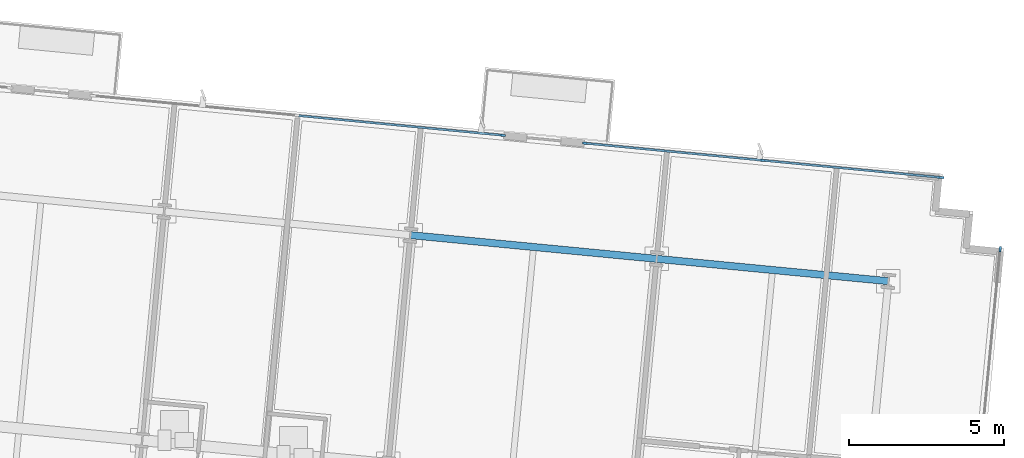
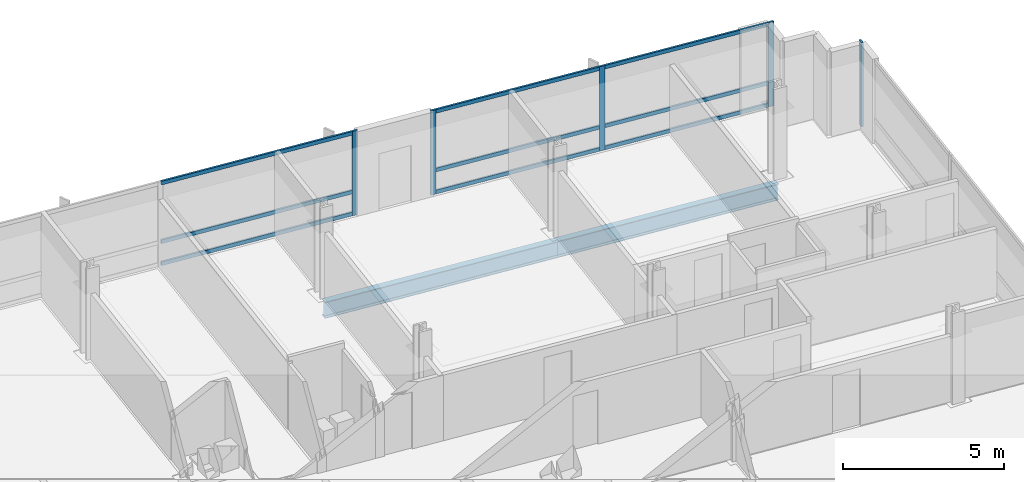
# One storey, part 8 of 17: 14 members, 2 beams, 3 elements without a shape of their own.
"""IFC4 building model written with IfcOpenShell, lengths in metres."""

from ifc_helpers import new_model, si_unit, direction, frame, origin, origin_2d, place, context, subcontext, project, spatial, rectangle, i_section, extrude, material, material_profile, profile_set, type_object, element, aggregate, save


model = new_model("IFC4")

# Units and contexts
model_context = context("Model", 3, precision=1e-05, world=origin(), true_north=direction((0.0, 1.0)))
body_context = subcontext(model_context, "Body", "Model", "MODEL_VIEW")
ifc_project = project(units=[si_unit("LENGTHUNIT", "METRE"), si_unit("AREAUNIT", "SQUARE_METRE"), si_unit("VOLUMEUNIT", "CUBIC_METRE"), si_unit("PLANEANGLEUNIT", "RADIAN"), si_unit("MASSUNIT", "GRAM", prefix="KILO")], contexts=[model_context])

# Site, building, storey
site_placement = place(None, origin())
site = spatial("IfcSite", under=ifc_project, at=site_placement, CompositionType="ELEMENT")
building_placement = place(site_placement, origin())
building = spatial("IfcBuilding", under=site, at=building_placement, Name="Solmavex Isthmus Hotel", CompositionType="ELEMENT")
storey_placement = place(building_placement, frame((0.0, 0.0, 170.39990234375)))
storey = spatial("IfcBuildingStorey", under=building, at=storey_placement, Name="L46", CompositionType="ELEMENT", Elevation=170.39990234375)

# Beams
ifc_material_1 = material(Name="Steel ASTM A992 Grade 50", Category="steel")
ifc_material_profile_1 = material_profile(ifc_material_1, i_section(OverallWidth=0.230224609375, OverallDepth=0.617431640625, WebThickness=0.01318359375, FlangeThickness=0.022216796875, FilletRadius=0.01513671875, at=origin_2d()), Name="W24X94")
ifc_profile_set_1 = profile_set([ifc_material_profile_1], Name="Steel ASTM A992 Grade 50")
beam_type = type_object("IfcBeamType", Name="BM-SP-W24X94", PredefinedType="SPANDREL", material=ifc_profile_set_1)
beam_1_placement = place(storey_placement, frame((9.1953125, 17.966552734375, -0.568603515625), z_axis=(0.995397440011, -0.095832856685, 0.0), x_axis=(0.095832856685, 0.995397440011, 0.0)))
element("IfcBeam", 1, at=beam_1_placement, inside=storey, type_object=beam_type, Name="Floor Girder L46-UG19", PredefinedType="SPANDREL", context=body_context, shape_type="SweptSolid", body=[
    extrude(i_section(OverallWidth=0.230224609375, OverallDepth=0.617431640625, WebThickness=0.01318359375, FlangeThickness=0.022216796875, FilletRadius=0.01513671875, at=origin_2d()), origin(), (0.0, 0.0, 1.0), 7.9560546875),
])
beam_2_placement = place(storey_placement, frame((17.11474609375, 17.2041015625, -0.568603515625), z_axis=(0.995395279593, -0.095855293875, 0.0), x_axis=(0.095855293875, 0.995395279593, 0.0)))
element("IfcBeam", 2, at=beam_2_placement, inside=storey, type_object=beam_type, Name="Floor Girder L46-UG20", PredefinedType="SPANDREL", context=body_context, shape_type="SweptSolid", body=[
    extrude(i_section(OverallWidth=0.230224609375, OverallDepth=0.617431640625, WebThickness=0.01318359375, FlangeThickness=0.022216796875, FilletRadius=0.01513671875, at=origin_2d()), origin(), (0.0, 0.0, 1.0), 7.488037109375),
])

# Curtain wall, member
ifc_material_2 = material(Name="Aluminium alloy 6063-T6", Category="aluminium")
curtain_wall_type = type_object("IfcCurtainWallType", Name="CW-SYS-03", PredefinedType="NOTDEFINED", material=ifc_material_2)
curtain_wall_1_placement = place(storey_placement, origin())
curtain_wall_1 = element("IfcCurtainWall", 3, at=curtain_wall_1_placement, inside=storey, type_object=curtain_wall_type, Name="Stick Curtain Wall CWL-L46-N2", PredefinedType="NOTDEFINED")
ifc_material_profile_2 = material_profile(ifc_material_2, rectangle(XDim=0.070068359375, YDim=0.179931640625, at=origin_2d()), Name="CWM-70X180")
ifc_profile_set_2 = profile_set([ifc_material_profile_2], Name="Aluminium alloy 6063-T6")
member_type_1 = type_object("IfcMemberType", Name="CW-SYS-03-MUL", PredefinedType="MULLION", material=ifc_profile_set_2)
member_1_placement = place(storey_placement, frame((12.15966796875, 21.17724609375, 0.0), z_axis=(0.0, 0.0, 1.0), x_axis=(0.095845138178, 0.995396257521, 0.0)))
member_1 = element("IfcMember", 4, at=member_1_placement, type_object=member_type_1, Name="CW-03 mullion 3", PredefinedType="MULLION", context=body_context, shape_type="SweptSolid", body=[
    extrude(rectangle(XDim=0.070068359375, YDim=0.179931640625, at=origin_2d()), origin(), (0.0, 0.0, 1.0), 3.190185546875),
])

# Curtain wall, members
curtain_wall_2_placement = place(storey_placement, origin())
curtain_wall_2 = element("IfcCurtainWall", 5, at=curtain_wall_2_placement, inside=storey, type_object=curtain_wall_type, Name="Stick Curtain Wall CWL-L46-N3", PredefinedType="NOTDEFINED")
member_2_placement = place(storey_placement, frame((14.8173828125, 20.92138671875, 0.0), z_axis=(0.0, 0.0, 1.0), x_axis=(0.095845603495, 0.995396212717, 0.0)))
member_2 = element("IfcMember", 6, at=member_2_placement, type_object=member_type_1, Name="CW-03 mullion 1", PredefinedType="MULLION", context=body_context, shape_type="SweptSolid", body=[
    extrude(rectangle(XDim=0.070068359375, YDim=0.179931640625, at=origin_2d()), origin(), (0.0, 0.0, 1.0), 3.190185546875),
])
member_3_placement = place(storey_placement, frame((20.5390625, 20.370361328125, 0.0), z_axis=(0.0, 0.0, 1.0), x_axis=(0.095845603495, 0.995396212717, 0.0)))
member_3 = element("IfcMember", 7, at=member_3_placement, type_object=member_type_1, Name="CW-03 mullion 2", PredefinedType="MULLION", context=body_context, shape_type="SweptSolid", body=[
    extrude(rectangle(XDim=0.070068359375, YDim=0.179931640625, at=origin_2d()), origin(), (0.0, 0.0, 1.0), 3.190185546875),
])
member_4_placement = place(storey_placement, frame((26.260498046875, 19.819580078125, 0.0), z_axis=(0.0, 0.0, 1.0), x_axis=(0.095845603495, 0.995396212717, 0.0)))
member_4 = element("IfcMember", 8, at=member_4_placement, type_object=member_type_1, Name="CW-03 mullion 3", PredefinedType="MULLION", context=body_context, shape_type="SweptSolid", body=[
    extrude(rectangle(XDim=0.070068359375, YDim=0.179931640625, at=origin_2d()), origin(), (0.0, 0.0, 1.0), 3.190185546875),
])

# Curtain wall, member
curtain_wall_3_placement = place(storey_placement, origin())
curtain_wall_3 = element("IfcCurtainWall", 9, at=curtain_wall_3_placement, inside=storey, type_object=curtain_wall_type, Name="Stick Curtain Wall CWL-L46-E1", PredefinedType="NOTDEFINED")
member_5_placement = place(storey_placement, frame((28.1630859375, 17.511474609375, 0.0), z_axis=(0.0, 0.0, 1.0), x_axis=(-0.995396190038, 0.09584583902, 0.0)))
member_5 = element("IfcMember", 10, at=member_5_placement, type_object=member_type_1, Name="CW-03 mullion 6", PredefinedType="MULLION", context=body_context, shape_type="SweptSolid", body=[
    extrude(rectangle(XDim=0.070068359375, YDim=0.179931640625, at=origin_2d()), origin(), (0.0, 0.0, 1.0), 3.190185546875),
])
aggregate(curtain_wall_3, [member_5])

# Member
ifc_material_profile_3 = material_profile(ifc_material_2, rectangle(XDim=0.070068359375, YDim=0.139892578125, at=origin_2d()), Name="CWT-70X140")
ifc_profile_set_3 = profile_set([ifc_material_profile_3], Name="Aluminium alloy 6063-T6")
member_type_2 = type_object("IfcMemberType", Name="CW-SYS-03-TRN", PredefinedType="USERDEFINED", material=ifc_profile_set_3)
member_6_placement = place(storey_placement, frame((5.60400390625, 21.808349609375, 0.070068359375), z_axis=(0.995399328313, -0.095813241224, 0.0), x_axis=(0.095813241224, 0.995399328313, 0.0)))
member_6 = element("IfcMember", 11, at=member_6_placement, type_object=member_type_2, Name="CW-03 transom 2.1", ObjectType="TRANSOM", PredefinedType="USERDEFINED", context=body_context, shape_type="SweptSolid", body=[
    extrude(rectangle(XDim=0.070068359375, YDim=0.139892578125, at=origin_2d()), origin(), (0.0, 0.0, 1.0), 6.551025390625),
])

member_7_placement = place(storey_placement, frame((5.60400390625, 21.808349609375, 0.900146484375), z_axis=(0.995399328313, -0.095813241224, 0.0), x_axis=(0.095813241224, 0.995399328313, 0.0)))
member_7 = element("IfcMember", 12, at=member_7_placement, type_object=member_type_2, Name="CW-03 transom 2.2", ObjectType="TRANSOM", PredefinedType="USERDEFINED", context=body_context, shape_type="SweptSolid", body=[
    extrude(rectangle(XDim=0.070068359375, YDim=0.139892578125, at=origin_2d()), origin(), (0.0, 0.0, 1.0), 6.551025390625),
])

member_8_placement = place(storey_placement, frame((5.60400390625, 21.808349609375, 3.1201171875), z_axis=(0.995399328313, -0.095813241224, 0.0), x_axis=(0.095813241224, 0.995399328313, 0.0)))
member_8 = element("IfcMember", 13, at=member_8_placement, type_object=member_type_2, Name="CW-03 transom 2.3", ObjectType="TRANSOM", PredefinedType="USERDEFINED", context=body_context, shape_type="SweptSolid", body=[
    extrude(rectangle(XDim=0.070068359375, YDim=0.139892578125, at=origin_2d()), origin(), (0.0, 0.0, 1.0), 6.551025390625),
])

aggregate(curtain_wall_1, [member_1, member_6, member_7, member_8])

member_9_placement = place(storey_placement, frame((14.852294921875, 20.91796875, 0.070068359375), z_axis=(0.995396573568, -0.095841855831, 0.0), x_axis=(0.095841855831, 0.995396573568, 0.0)))
member_9 = element("IfcMember", 14, at=member_9_placement, type_object=member_type_2, Name="CW-03 transom 1.1", ObjectType="TRANSOM", PredefinedType="USERDEFINED", context=body_context, shape_type="SweptSolid", body=[
    extrude(rectangle(XDim=0.070068359375, YDim=0.139892578125, at=origin_2d()), origin(), (0.0, 0.0, 1.0), 5.677978515625),
])

member_10_placement = place(storey_placement, frame((14.852294921875, 20.91796875, 0.900146484375), z_axis=(0.995396573568, -0.095841855831, 0.0), x_axis=(0.095841855831, 0.995396573568, 0.0)))
member_10 = element("IfcMember", 15, at=member_10_placement, type_object=member_type_2, Name="CW-03 transom 1.2", ObjectType="TRANSOM", PredefinedType="USERDEFINED", context=body_context, shape_type="SweptSolid", body=[
    extrude(rectangle(XDim=0.070068359375, YDim=0.139892578125, at=origin_2d()), origin(), (0.0, 0.0, 1.0), 5.677978515625),
])

member_11_placement = place(storey_placement, frame((14.852294921875, 20.91796875, 3.1201171875), z_axis=(0.995396573568, -0.095841855831, 0.0), x_axis=(0.095841855831, 0.995396573568, 0.0)))
member_11 = element("IfcMember", 16, at=member_11_placement, type_object=member_type_2, Name="CW-03 transom 1.3", ObjectType="TRANSOM", PredefinedType="USERDEFINED", context=body_context, shape_type="SweptSolid", body=[
    extrude(rectangle(XDim=0.070068359375, YDim=0.139892578125, at=origin_2d()), origin(), (0.0, 0.0, 1.0), 5.677978515625),
])

member_12_placement = place(storey_placement, frame((20.573974609375, 20.366943359375, 0.070068359375), z_axis=(0.995396573568, -0.095841855831, 0.0), x_axis=(0.095841855831, 0.995396573568, 0.0)))
member_12 = element("IfcMember", 17, at=member_12_placement, type_object=member_type_2, Name="CW-03 transom 2.1", ObjectType="TRANSOM", PredefinedType="USERDEFINED", context=body_context, shape_type="SweptSolid", body=[
    extrude(rectangle(XDim=0.070068359375, YDim=0.139892578125, at=origin_2d()), origin(), (0.0, 0.0, 1.0), 5.677978515625),
])

member_13_placement = place(storey_placement, frame((20.573974609375, 20.366943359375, 0.900146484375), z_axis=(0.995396573568, -0.095841855831, 0.0), x_axis=(0.095841855831, 0.995396573568, 0.0)))
member_13 = element("IfcMember", 18, at=member_13_placement, type_object=member_type_2, Name="CW-03 transom 2.2", ObjectType="TRANSOM", PredefinedType="USERDEFINED", context=body_context, shape_type="SweptSolid", body=[
    extrude(rectangle(XDim=0.070068359375, YDim=0.139892578125, at=origin_2d()), origin(), (0.0, 0.0, 1.0), 5.677978515625),
])

member_14_placement = place(storey_placement, frame((20.573974609375, 20.366943359375, 3.1201171875), z_axis=(0.995396573568, -0.095841855831, 0.0), x_axis=(0.095841855831, 0.995396573568, 0.0)))
member_14 = element("IfcMember", 19, at=member_14_placement, type_object=member_type_2, Name="CW-03 transom 2.3", ObjectType="TRANSOM", PredefinedType="USERDEFINED", context=body_context, shape_type="SweptSolid", body=[
    extrude(rectangle(XDim=0.070068359375, YDim=0.139892578125, at=origin_2d()), origin(), (0.0, 0.0, 1.0), 5.677978515625),
])

aggregate(curtain_wall_2, [member_2, member_3, member_4, member_9, member_10, member_11, member_12, member_13, member_14])

save(model, "model.ifc")
